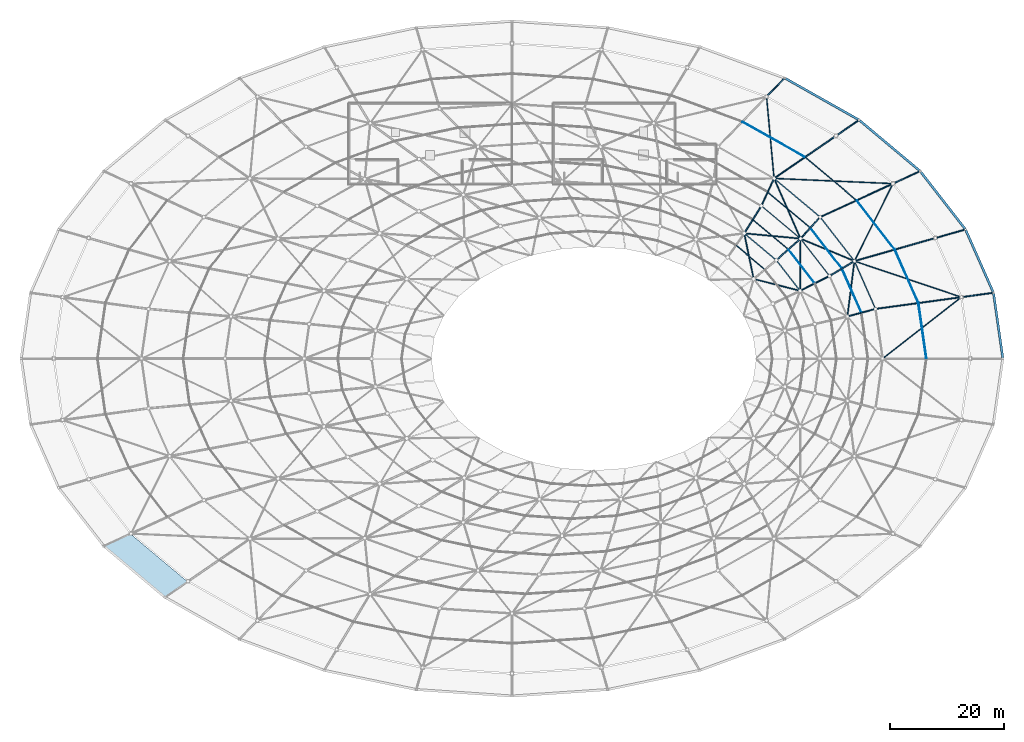
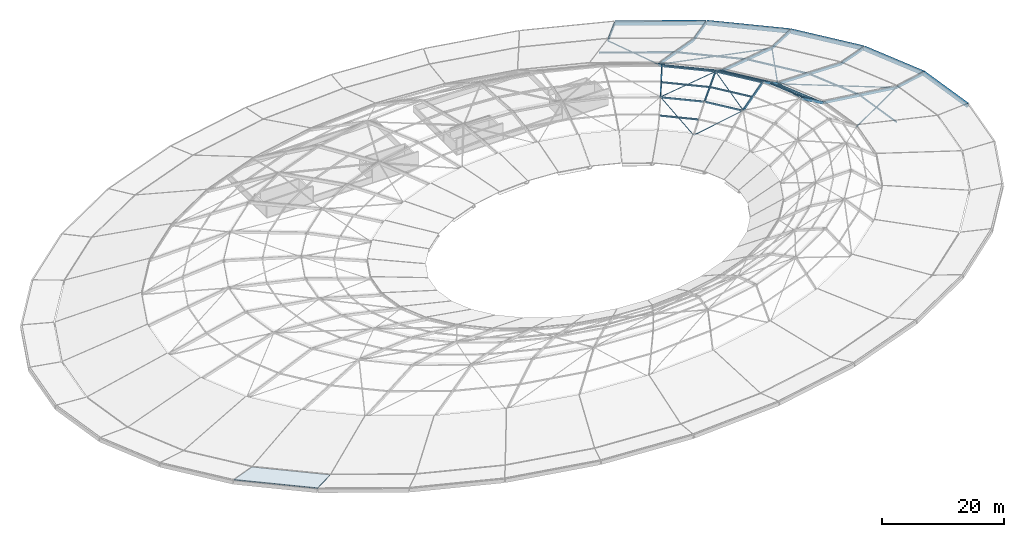
# One storey, part 11 of 30: 46 members, 5 beams, 1 slab.
"""IFC4 building model written with IfcOpenShell, lengths in metres."""

from ifc_helpers import new_model, si_unit, direction, frame, origin, origin_2d, place, context, subcontext, project, spatial, polyline, rectangle, hollow_rectangle, hollow_circle, outline, extrude, material, layer, layer_set, material_profile, profile_set, type_object, element, save


model = new_model("IFC4")

# Units and contexts
model_context = context("Model", 3, precision=1e-05, world=origin(), true_north=direction((0.0, 1.0)))
body_context = subcontext(model_context, "Body", "Model", "MODEL_VIEW")
ifc_project = project(units=[si_unit("LENGTHUNIT", "METRE"), si_unit("AREAUNIT", "SQUARE_METRE"), si_unit("VOLUMEUNIT", "CUBIC_METRE"), si_unit("PLANEANGLEUNIT", "RADIAN"), si_unit("MASSUNIT", "GRAM", prefix="KILO")], contexts=[model_context])

# Site, building, storey
site_placement = place(None, origin())
site = spatial("IfcSite", under=ifc_project, at=site_placement, CompositionType="ELEMENT")
building_placement = place(site_placement, origin())
building = spatial("IfcBuilding", under=site, at=building_placement, Name="Namkhue Oval Health Centre", CompositionType="ELEMENT")
storey_placement = place(building_placement, frame((0.0, 0.0, 26.39990234375)))
storey = spatial("IfcBuildingStorey", under=building, at=storey_placement, Name="RF", CompositionType="ELEMENT", Elevation=26.39990234375)

# Beams
ifc_material_1 = material(Name="Precast architectural concrete C35/45 (TCVN B40)", Category="concrete")
ifc_material_profile_1 = material_profile(ifc_material_1, rectangle(XDim=0.39990234375, YDim=0.75, at=origin_2d()), Name="RC 400x750")
ifc_profile_set_1 = profile_set([ifc_material_profile_1], Name="Precast architectural concrete C35/45 (TCVN B40)")
beam_type = type_object("IfcBeamType", Name="CONCRETE EDGE BAND 400X750", PredefinedType="SPANDREL", material=ifc_profile_set_1)
beam_1_placement = place(storey_placement, frame((172.794189453125, 59.439697265625, 0.7001953125), z_axis=(-0.14180352015, 0.989894823541, 0.0), x_axis=(-0.989894823541, -0.14180352015, 0.0)))
element("IfcBeam", 1, at=beam_1_placement, inside=storey, type_object=beam_type, Name="Elliptical Roof Concrete Fascia Band 1", PredefinedType="SPANDREL", context=body_context, shape_type="SweptSolid", body=[
    extrude(rectangle(XDim=0.39990234375, YDim=0.75, at=origin_2d()), origin(), (0.0, 0.0, 1.0), 11.62646484375),
])
beam_2_placement = place(storey_placement, frame((171.123779296875, 71.02490234375, 0.7001953125), z_axis=(-0.403693857048, 0.914894130368, 0.0), x_axis=(-0.914894130368, -0.403693857048, 0.0)))
element("IfcBeam", 2, at=beam_2_placement, inside=storey, type_object=beam_type, Name="Elliptical Roof Concrete Fascia Band 2", PredefinedType="SPANDREL", context=body_context, shape_type="SweptSolid", body=[
    extrude(rectangle(XDim=0.39990234375, YDim=0.75, at=origin_2d()), origin(), (0.0, 0.0, 1.0), 12.099609375),
])
beam_3_placement = place(storey_placement, frame((166.198486328125, 82.1630859375, 0.7001953125), z_axis=(-0.613787636636, 0.789471175606, 0.0), x_axis=(-0.789471175606, -0.613787636636, 0.0)))
element("IfcBeam", 3, at=beam_3_placement, inside=storey, type_object=beam_type, Name="Elliptical Roof Concrete Fascia Band 3", PredefinedType="SPANDREL", context=body_context, shape_type="SweptSolid", body=[
    extrude(rectangle(XDim=0.39990234375, YDim=0.75, at=origin_2d()), origin(), (0.0, 0.0, 1.0), 12.927978515625),
])
beam_4_placement = place(storey_placement, frame((158.208251953125, 92.426513671875, 0.7001953125), z_axis=(-0.766561731965, 0.642170624591, 0.0), x_axis=(-0.642170624591, -0.766561731965, 0.0)))
element("IfcBeam", 4, at=beam_4_placement, inside=storey, type_object=beam_type, Name="Elliptical Roof Concrete Fascia Band 4", PredefinedType="SPANDREL", context=body_context, shape_type="SweptSolid", body=[
    extrude(rectangle(XDim=0.39990234375, YDim=0.75, at=origin_2d()), origin(), (0.0, 0.0, 1.0), 13.93701171875),
])
beam_5_placement = place(storey_placement, frame((147.459228515625, 101.421875, 0.7001953125), z_axis=(-0.870942993464, 0.491384067849, 0.0), x_axis=(-0.491384067849, -0.870942993464, 0.0)))
element("IfcBeam", 5, at=beam_5_placement, inside=storey, type_object=beam_type, Name="Elliptical Roof Concrete Fascia Band 5", PredefinedType="SPANDREL", context=body_context, shape_type="SweptSolid", body=[
    extrude(rectangle(XDim=0.39990234375, YDim=0.75, at=origin_2d()), origin(), (0.0, 0.0, 1.0), 14.952880859375),
])

# Members
ifc_material_2 = material(Name="Structural steel EN 10025-2 S355JR (TCVN 5575:2024)", Category="steel")
ifc_material_profile_2 = material_profile(ifc_material_2, hollow_circle(Radius=0.084228515625, WallThickness=0.008056640625, at=origin_2d()), Name="CHS 168.3x8")
ifc_profile_set_2 = profile_set([ifc_material_profile_2], Name="Structural steel EN 10025-2 S355JR (TCVN 5575:2024)")
member_type_1 = type_object("IfcMemberType", Name="DIAGONAL BRACE CHS 168", PredefinedType="BRACE", material=ifc_profile_set_2)
member_1_placement = place(storey_placement, frame((146.6630859375, 76.5341796875, 3.789794921875), z_axis=(-0.118630380465, -0.937515440045, 0.327095754341), x_axis=(0.992089069562, -0.125535963196, 0.0)))
element("IfcMember", 6, at=member_1_placement, inside=storey, type_object=member_type_1, Name="Gridshell Diagonal Brace K2-2", PredefinedType="BRACE", context=body_context, shape_type="SweptSolid", body=[
    extrude(hollow_circle(Radius=0.084228515625, WallThickness=0.008056640625, at=origin_2d()), origin(), (0.0, 0.0, 1.0), 10.335205078125),
])
member_2_placement = place(storey_placement, frame((146.64013671875, 76.5732421875, 3.78955078125), z_axis=(-0.876267446416, 0.36550059602, 0.31395011811), x_axis=(-0.384964607325, -0.922931336074, 0.0)))
element("IfcMember", 7, at=member_2_placement, inside=storey, type_object=member_type_1, Name="Gridshell Diagonal Brace K2-3", PredefinedType="BRACE", context=body_context, shape_type="SweptSolid", body=[
    extrude(hollow_circle(Radius=0.084228515625, WallThickness=0.008056640625, at=origin_2d()), origin(), (0.0, 0.0, 1.0), 10.76953125),
])
member_3_placement = place(storey_placement, frame((132.53759765625, 91.085205078125, 3.78857421875), z_axis=(0.385751721326, -0.878447536324, 0.282002722364), x_axis=(0.915608797046, 0.402070305757, 0.0)))
element("IfcMember", 8, at=member_3_placement, inside=storey, type_object=member_type_1, Name="Gridshell Diagonal Brace K2-4", PredefinedType="BRACE", context=body_context, shape_type="SweptSolid", body=[
    extrude(hollow_circle(Radius=0.084228515625, WallThickness=0.008056640625, at=origin_2d()), origin(), (0.0, 0.0, 1.0), 11.99658203125),
])
member_4_placement = place(storey_placement, frame((137.1767578125, 80.491455078125, 7.173095703125), z_axis=(-0.007386741526, -0.972474925743, -0.232890435291), x_axis=(0.999971153031, -0.007595597835, 0.0)))
element("IfcMember", 9, at=member_4_placement, inside=storey, type_object=member_type_1, Name="Gridshell Diagonal Brace K3-3", PredefinedType="BRACE", context=body_context, shape_type="SweptSolid", body=[
    extrude(hollow_circle(Radius=0.084228515625, WallThickness=0.008056640625, at=origin_2d()), origin(), (0.0, 0.0, 1.0), 9.386474609375),
])
member_5_placement = place(storey_placement, frame((137.147705078125, 80.523193359375, 7.173583984375), z_axis=(-0.972115942185, 0.091372437401, -0.215966832253), x_axis=(-0.093580880658, -0.995611680715, 0.0)))
element("IfcMember", 10, at=member_5_placement, inside=storey, type_object=member_type_1, Name="Gridshell Diagonal Brace K3-4", PredefinedType="BRACE", context=body_context, shape_type="SweptSolid", body=[
    extrude(hollow_circle(Radius=0.084228515625, WallThickness=0.008056640625, at=origin_2d()), origin(), (0.0, 0.0, 1.0), 10.126708984375),
])
member_6_placement = place(storey_placement, frame((137.080078125, 71.3408203125, 4.968994140625), z_axis=(-0.898603982396, 0.229877950165, -0.3737204983), x_axis=(-0.247835792691, -0.968802054014, 0.0)))
element("IfcMember", 11, at=member_6_placement, inside=storey, type_object=member_type_1, Name="Gridshell Diagonal Brace K4-3", PredefinedType="BRACE", context=body_context, shape_type="SweptSolid", body=[
    extrude(hollow_circle(Radius=0.084228515625, WallThickness=0.008056640625, at=origin_2d()), origin(), (0.0, 0.0, 1.0), 9.0380859375),
])
member_7_placement = place(storey_placement, frame((127.280029296875, 81.424072265625, 4.968505859375), z_axis=(0.18677893336, -0.904584059932, -0.383198784668), x_axis=(0.979341190067, 0.202214820024, 0.0)))
element("IfcMember", 12, at=member_7_placement, inside=storey, type_object=member_type_1, Name="Gridshell Diagonal Brace K4-4", PredefinedType="BRACE", context=body_context, shape_type="SweptSolid", body=[
    extrude(hollow_circle(Radius=0.084228515625, WallThickness=0.008056640625, at=origin_2d()), origin(), (0.0, 0.0, 1.0), 8.8125),
])
ifc_material_profile_3 = material_profile(ifc_material_2, hollow_circle(Radius=0.109619140625, WallThickness=0.010009765625, at=origin_2d()), Name="CHS 219.1x10")
ifc_profile_set_3 = profile_set([ifc_material_profile_3], Name="Structural steel EN 10025-2 S355JR (TCVN 5575:2024)")
member_type_2 = type_object("IfcMemberType", Name="DIAGONAL BRACE CHS 219", PredefinedType="BRACE", material=ifc_profile_set_3)
member_8_placement = place(storey_placement, frame((165.46728515625, 70.19775390625, 0.285888671875), z_axis=(-0.773156638641, -0.603407661928, 0.195263938433), x_axis=(0.615250790527, -0.788331443465, 0.0)))
element("IfcMember", 13, at=member_8_placement, inside=storey, type_object=member_type_2, Name="Gridshell Diagonal Brace K1-1", PredefinedType="BRACE", context=body_context, shape_type="SweptSolid", body=[
    extrude(hollow_circle(Radius=0.109619140625, WallThickness=0.010009765625, at=origin_2d()), origin(), (0.0, 0.0, 1.0), 17.864501953125),
])
member_9_placement = place(storey_placement, frame((165.46240234375, 70.22509765625, 0.285400390625), z_axis=(-0.933218200135, 0.314637770233, 0.173513297706), x_axis=(-0.319483852596, -0.947591720062, 0.0)))
element("IfcMember", 14, at=member_9_placement, inside=storey, type_object=member_type_2, Name="Gridshell Diagonal Brace K1-2", PredefinedType="BRACE", context=body_context, shape_type="SweptSolid", body=[
    extrude(hollow_circle(Radius=0.109619140625, WallThickness=0.010009765625, at=origin_2d()), origin(), (0.0, 0.0, 1.0), 20.11083984375),
])
member_10_placement = place(storey_placement, frame((153.436767578125, 90.174560546875, 0.286865234375), z_axis=(-0.434016963234, -0.872628440892, 0.223939455594), x_axis=(0.895368051566, -0.445326904908, 0.0)))
element("IfcMember", 15, at=member_10_placement, inside=storey, type_object=member_type_2, Name="Gridshell Diagonal Brace K1-3", PredefinedType="BRACE", context=body_context, shape_type="SweptSolid", body=[
    extrude(hollow_circle(Radius=0.109619140625, WallThickness=0.010009765625, at=origin_2d()), origin(), (0.0, 0.0, 1.0), 15.5693359375),
])
member_11_placement = place(storey_placement, frame((153.420166015625, 90.2021484375, 0.284912109375), z_axis=(-0.985387796484, 0.042892577935, 0.164836638216), x_axis=(-0.043487447856, -0.999053973456, 0.0)))
element("IfcMember", 16, at=member_11_placement, inside=storey, type_object=member_type_2, Name="Gridshell Diagonal Brace K1-4", PredefinedType="BRACE", context=body_context, shape_type="SweptSolid", body=[
    extrude(hollow_circle(Radius=0.109619140625, WallThickness=0.010009765625, at=origin_2d()), origin(), (0.0, 0.0, 1.0), 21.173828125),
])
member_12_placement = place(storey_placement, frame((131.203857421875, 105.467529296875, 0.287109375), z_axis=(0.089121555701, -0.967786871432, 0.235469572965), x_axis=(0.995786678787, 0.091700001911, 0.0)))
element("IfcMember", 17, at=member_12_placement, inside=storey, type_object=member_type_2, Name="Gridshell Diagonal Brace K1-5", PredefinedType="BRACE", context=body_context, shape_type="SweptSolid", body=[
    extrude(hollow_circle(Radius=0.109619140625, WallThickness=0.010009765625, at=origin_2d()), origin(), (0.0, 0.0, 1.0), 14.8037109375),
])
ifc_material_3 = material(Name="Glulam timber GL28h", Category="wood")
ifc_material_profile_4 = material_profile(ifc_material_3, rectangle(XDim=0.199951171875, YDim=0.47998046875, at=origin_2d()), Name="GL28h 200x480")
ifc_profile_set_4 = profile_set([ifc_material_profile_4], Name="Glulam timber GL28h")
member_type_3 = type_object("IfcMemberType", Name="GRIDSHELL ARCH RIB GL28H 200X480", PredefinedType="USERDEFINED", material=ifc_profile_set_4)
member_13_placement = place(storey_placement, frame((165.490478515625, 70.2158203125, 0.300048828125), z_axis=(-0.965679210816, -0.132063629189, 0.223657907626), x_axis=(0.135496054862, -0.990777885864, 0.0)))
element("IfcMember", 18, at=member_13_placement, inside=storey, type_object=member_type_3, Name="Gridshell Glulam Arch Rib K1-2", ObjectType="ARCH_SEGMENT", PredefinedType="USERDEFINED", context=body_context, shape_type="SweptSolid", body=[
    extrude(rectangle(XDim=0.199951171875, YDim=0.47998046875, at=origin_2d()), origin(), (0.0, 0.0, 1.0), 15.64892578125),
])
member_14_placement = place(storey_placement, frame((150.378662109375, 68.149169921875, 3.800048828125), z_axis=(-0.804418589356, -0.216762116055, 0.553104798517), x_axis=(0.26018374201, -0.965559123199, 0.0)))
element("IfcMember", 19, at=member_14_placement, inside=storey, type_object=member_type_3, Name="Gridshell Glulam Arch Rib K2-2", ObjectType="ARCH_SEGMENT", PredefinedType="USERDEFINED", context=body_context, shape_type="SweptSolid", body=[
    extrude(rectangle(XDim=0.199951171875, YDim=0.47998046875, at=origin_2d()), origin(), (0.0, 0.0, 1.0), 6.1474609375),
])
member_15_placement = place(storey_placement, frame((160.901611328125, 80.615966796875, 0.300048828125), z_axis=(-0.935951519575, -0.26652955959, 0.230123329697), x_axis=(0.273880097908, -0.961763844179, 0.0)))
element("IfcMember", 20, at=member_15_placement, inside=storey, type_object=member_type_3, Name="Gridshell Glulam Arch Rib K1-3", ObjectType="ARCH_SEGMENT", PredefinedType="USERDEFINED", context=body_context, shape_type="SweptSolid", body=[
    extrude(rectangle(XDim=0.199951171875, YDim=0.47998046875, at=origin_2d()), origin(), (0.0, 0.0, 1.0), 15.209228515625),
])
member_16_placement = place(storey_placement, frame((146.66650390625, 76.562255859375, 3.800048828125), z_axis=(-0.714462906389, -0.426471308412, 0.554675561473), x_axis=(0.512544606953, -0.858660599937, 0.0)))
element("IfcMember", 21, at=member_16_placement, inside=storey, type_object=member_type_3, Name="Gridshell Glulam Arch Rib K2-3", ObjectType="ARCH_SEGMENT", PredefinedType="USERDEFINED", context=body_context, shape_type="SweptSolid", body=[
    extrude(rectangle(XDim=0.199951171875, YDim=0.47998046875, at=origin_2d()), origin(), (0.0, 0.0, 1.0), 6.1298828125),
])
member_17_placement = place(storey_placement, frame((142.286865234375, 73.947998046875, 7.2001953125), z_axis=(-0.834748734664, -0.421269546665, -0.354579355052), x_axis=(0.450543172408, -0.892754641431, 0.0)))
element("IfcMember", 22, at=member_17_placement, inside=storey, type_object=member_type_3, Name="Gridshell Glulam Arch Rib K3-3", ObjectType="ARCH_SEGMENT", PredefinedType="USERDEFINED", context=body_context, shape_type="SweptSolid", body=[
    extrude(rectangle(XDim=0.199951171875, YDim=0.47998046875, at=origin_2d()), origin(), (0.0, 0.0, 1.0), 6.205078125),
])
member_18_placement = place(storey_placement, frame((153.44970703125, 90.200927734375, 0.300048828125), z_axis=(-0.881933301609, -0.405143099926, 0.240941320855), x_axis=(0.41744104465, -0.908704008048, 0.0)))
element("IfcMember", 23, at=member_18_placement, inside=storey, type_object=member_type_3, Name="Gridshell Glulam Arch Rib K1-4", ObjectType="ARCH_SEGMENT", PredefinedType="USERDEFINED", context=body_context, shape_type="SweptSolid", body=[
    extrude(rectangle(XDim=0.199951171875, YDim=0.47998046875, at=origin_2d()), origin(), (0.0, 0.0, 1.0), 14.5263671875),
])
member_19_placement = place(storey_placement, frame((140.638427734375, 84.315673828125, 3.800048828125), z_axis=(-0.561918661707, -0.616097164355, 0.551970743517), x_axis=(0.738846563421, -0.67387369419, 0.0)))
element("IfcMember", 24, at=member_19_placement, inside=storey, type_object=member_type_3, Name="Gridshell Glulam Arch Rib K2-4", ObjectType="ARCH_SEGMENT", PredefinedType="USERDEFINED", context=body_context, shape_type="SweptSolid", body=[
    extrude(rectangle(XDim=0.199951171875, YDim=0.47998046875, at=origin_2d()), origin(), (0.0, 0.0, 1.0), 6.159912109375),
])
member_20_placement = place(storey_placement, frame((137.177001953125, 80.5205078125, 7.2001953125), z_axis=(-0.69678545963, -0.620540244626, -0.359749674144), x_axis=(0.665067256783, -0.746783465239, 0.0)))
element("IfcMember", 25, at=member_20_placement, inside=storey, type_object=member_type_3, Name="Gridshell Glulam Arch Rib K3-4", ObjectType="ARCH_SEGMENT", PredefinedType="USERDEFINED", context=body_context, shape_type="SweptSolid", body=[
    extrude(rectangle(XDim=0.199951171875, YDim=0.47998046875, at=origin_2d()), origin(), (0.0, 0.0, 1.0), 6.115966796875),
])
member_21_placement = place(storey_placement, frame((143.421142578125, 98.60205078125, 0.300048828125), z_axis=(-0.796604199266, -0.547664271353, 0.25590153496), x_axis=(0.566528039222, -0.824042462969, 0.0)))
element("IfcMember", 26, at=member_21_placement, inside=storey, type_object=member_type_3, Name="Gridshell Glulam Arch Rib K1-5", ObjectType="ARCH_SEGMENT", PredefinedType="USERDEFINED", context=body_context, shape_type="SweptSolid", body=[
    extrude(rectangle(XDim=0.199951171875, YDim=0.47998046875, at=origin_2d()), origin(), (0.0, 0.0, 1.0), 13.67724609375),
])
member_22_placement = place(storey_placement, frame((132.52587890625, 91.111572265625, 3.800048828125), z_axis=(-0.352574325734, -0.76521314553, 0.538646625109), x_axis=(0.908230593451, -0.418470057614, 0.0)))
element("IfcMember", 27, at=member_22_placement, inside=storey, type_object=member_type_3, Name="Gridshell Glulam Arch Rib K2-5", ObjectType="ARCH_SEGMENT", PredefinedType="USERDEFINED", context=body_context, shape_type="SweptSolid", body=[
    extrude(rectangle(XDim=0.199951171875, YDim=0.47998046875, at=origin_2d()), origin(), (0.0, 0.0, 1.0), 6.3125),
])
member_23_placement = place(storey_placement, frame((130.30029296875, 86.28125, 7.2001953125), z_axis=(-0.495271295027, -0.79057990163, -0.360124649893), x_axis=(0.847439539986, -0.530891915618, 0.0)))
element("IfcMember", 28, at=member_23_placement, inside=storey, type_object=member_type_3, Name="Gridshell Glulam Arch Rib K3-5", ObjectType="ARCH_SEGMENT", PredefinedType="USERDEFINED", context=body_context, shape_type="SweptSolid", body=[
    extrude(rectangle(XDim=0.199951171875, YDim=0.47998046875, at=origin_2d()), origin(), (0.0, 0.0, 1.0), 6.109619140625),
])
ifc_material_profile_5 = material_profile(ifc_material_3, rectangle(XDim=0.199951171875, YDim=0.47998046875, at=origin_2d()), Name="GL28h 200x480")
ifc_profile_set_5 = profile_set([ifc_material_profile_5], Name="Glulam timber GL28h")
member_type_4 = type_object("IfcMemberType", Name="GRIDSHELL CANTILEVER RIB GL28H 200X480", PredefinedType="USERDEFINED", material=ifc_profile_set_5)
member_24_placement = place(storey_placement, frame((171.139892578125, 70.98828125, 0.7001953125), z_axis=(-0.988350405727, -0.135140046833, -0.070004594425), x_axis=(0.13547240549, -0.990781119799, 0.0)))
element("IfcMember", 29, at=member_24_placement, inside=storey, type_object=member_type_4, Name="Gridshell Glulam Arch Rib K0-2", ObjectType="ARCH_SEGMENT", PredefinedType="USERDEFINED", context=body_context, shape_type="SweptSolid", body=[
    extrude(rectangle(XDim=0.199951171875, YDim=0.47998046875, at=origin_2d()), origin(), (0.0, 0.0, 1.0), 5.716064453125),
])
member_25_placement = place(storey_placement, frame((166.22314453125, 82.13134765625, 0.7001953125), z_axis=(-0.959259810829, -0.273162620811, -0.072130422992), x_axis=(0.273876010696, -0.961765008079, 0.0)))
element("IfcMember", 30, at=member_25_placement, inside=storey, type_object=member_type_4, Name="Gridshell Glulam Arch Rib K0-3", ObjectType="ARCH_SEGMENT", PredefinedType="USERDEFINED", context=body_context, shape_type="SweptSolid", body=[
    extrude(rectangle(XDim=0.199951171875, YDim=0.47998046875, at=origin_2d()), origin(), (0.0, 0.0, 1.0), 5.547607421875),
])
member_26_placement = place(storey_placement, frame((158.239013671875, 92.40087890625, 0.7001953125), z_axis=(-0.906107986713, -0.4162175189, -0.075705306123), x_axis=(0.417415402789, -0.908715786984, 0.0)))
element("IfcMember", 31, at=member_26_placement, inside=storey, type_object=member_type_4, Name="Gridshell Glulam Arch Rib K0-4", ObjectType="ARCH_SEGMENT", PredefinedType="USERDEFINED", context=body_context, shape_type="SweptSolid", body=[
    extrude(rectangle(XDim=0.199951171875, YDim=0.47998046875, at=origin_2d()), origin(), (0.0, 0.0, 1.0), 5.28564453125),
])
member_27_placement = place(storey_placement, frame((147.494140625, 101.402099609375, 0.7001953125), z_axis=(-0.821367573853, -0.564662513009, -0.08069420689), x_axis=(0.566509955726, -0.824054895054, 0.0)))
element("IfcMember", 32, at=member_27_placement, inside=storey, type_object=member_type_4, Name="Gridshell Glulam Arch Rib K0-5", ObjectType="ARCH_SEGMENT", PredefinedType="USERDEFINED", context=body_context, shape_type="SweptSolid", body=[
    extrude(rectangle(XDim=0.199951171875, YDim=0.47998046875, at=origin_2d()), origin(), (0.0, 0.0, 1.0), 4.958740234375),
])
member_28_placement = place(storey_placement, frame((134.4013671875, 108.789306640625, 0.7001953125), z_axis=(-0.694327625131, -0.714403164491, -0.086817438022), x_axis=(0.717110804188, -0.696959177081, 0.0)))
element("IfcMember", 33, at=member_28_placement, inside=storey, type_object=member_type_4, Name="Gridshell Glulam Arch Rib K0-6", ObjectType="ARCH_SEGMENT", PredefinedType="USERDEFINED", context=body_context, shape_type="SweptSolid", body=[
    extrude(rectangle(XDim=0.199951171875, YDim=0.47998046875, at=origin_2d()), origin(), (0.0, 0.0, 1.0), 4.609130859375),
])
ifc_material_profile_6 = material_profile(ifc_material_2, hollow_rectangle(XDim=0.14990234375, YDim=0.25, WallThickness=0.008056640625, at=origin_2d()), Name="RHS 150x250x8")
ifc_profile_set_6 = profile_set([ifc_material_profile_6], Name="Structural steel EN 10025-2 S355JR (TCVN 5575:2024)")
member_type_5 = type_object("IfcMemberType", Name="GRIDSHELL HOOP PURLIN RHS 150X250", PredefinedType="PURLIN", material=ifc_profile_set_6)
member_29_placement = place(storey_placement, frame((142.25, 73.99560546875, 7.156005859375), z_axis=(-0.613792283962, 0.789467562443, 0.0), x_axis=(-0.789467562443, -0.613792283962, 0.0)))
element("IfcMember", 34, at=member_29_placement, inside=storey, type_object=member_type_5, Name="Gridshell Hoop Purlin K3-3", PredefinedType="PURLIN", context=body_context, shape_type="SweptSolid", body=[
    extrude(hollow_rectangle(XDim=0.14990234375, YDim=0.25, WallThickness=0.008056640625, at=origin_2d()), origin(), (0.0, 0.0, 1.0), 8.204833984375),
])
member_30_placement = place(storey_placement, frame((137.131103515625, 80.55908203125, 7.157470703125), z_axis=(-0.766565985692, 0.642165546864, 0.0), x_axis=(-0.642165546864, -0.766565985692, 0.0)))
element("IfcMember", 35, at=member_30_placement, inside=storey, type_object=member_type_5, Name="Gridshell Hoop Purlin K3-4", PredefinedType="PURLIN", context=body_context, shape_type="SweptSolid", body=[
    extrude(hollow_rectangle(XDim=0.14990234375, YDim=0.25, WallThickness=0.008056640625, at=origin_2d()), origin(), (0.0, 0.0, 1.0), 8.85107421875),
])
ifc_material_profile_7 = material_profile(ifc_material_2, hollow_rectangle(XDim=0.179931640625, YDim=0.300048828125, WallThickness=0.010009765625, at=origin_2d()), Name="RHS 180x300x10")
ifc_profile_set_7 = profile_set([ifc_material_profile_7], Name="Structural steel EN 10025-2 S355JR (TCVN 5575:2024)")
member_type_6 = type_object("IfcMemberType", Name="GRIDSHELL HOOP PURLIN RHS 180X300", PredefinedType="PURLIN", material=ifc_profile_set_7)
member_31_placement = place(storey_placement, frame((150.3544921875, 68.2041015625, 3.72509765625), z_axis=(-0.403698487315, 0.914892087265, 0.0), x_axis=(-0.914892087265, -0.403698487315, 0.0)))
element("IfcMember", 36, at=member_31_placement, inside=storey, type_object=member_type_6, Name="Gridshell Hoop Purlin K2-2", PredefinedType="PURLIN", context=body_context, shape_type="SweptSolid", body=[
    extrude(hollow_rectangle(XDim=0.179931640625, YDim=0.300048828125, WallThickness=0.010009765625, at=origin_2d()), origin(), (0.0, 0.0, 1.0), 9.07568359375),
])
member_32_placement = place(storey_placement, frame((146.629638671875, 76.609619140625, 3.72509765625), z_axis=(-0.613785537369, 0.789472807712, 0.0), x_axis=(-0.789472807712, -0.613785537369, 0.0)))
element("IfcMember", 37, at=member_32_placement, inside=storey, type_object=member_type_6, Name="Gridshell Hoop Purlin K2-3", PredefinedType="PURLIN", context=body_context, shape_type="SweptSolid", body=[
    extrude(hollow_rectangle(XDim=0.179931640625, YDim=0.300048828125, WallThickness=0.010009765625, at=origin_2d()), origin(), (0.0, 0.0, 1.0), 9.700927734375),
])
member_33_placement = place(storey_placement, frame((140.59228515625, 84.354248046875, 3.7265625), z_axis=(-0.766564254269, 0.642167613694, 0.0), x_axis=(-0.642167613694, -0.766564254269, 0.0)))
element("IfcMember", 38, at=member_33_placement, inside=storey, type_object=member_type_6, Name="Gridshell Hoop Purlin K2-4", PredefinedType="PURLIN", context=body_context, shape_type="SweptSolid", body=[
    extrude(hollow_rectangle(XDim=0.179931640625, YDim=0.300048828125, WallThickness=0.010009765625, at=origin_2d()), origin(), (0.0, 0.0, 1.0), 10.462646484375),
])
member_34_placement = place(storey_placement, frame((137.0703125, 71.38134765625, 4.912109375), z_axis=(-0.613784405875, 0.789473687405, 0.0), x_axis=(-0.789473687405, -0.613784405875, 0.0)))
element("IfcMember", 39, at=member_34_placement, inside=storey, type_object=member_type_6, Name="Gridshell Hoop Purlin K4-3", PredefinedType="PURLIN", context=body_context, shape_type="SweptSolid", body=[
    extrude(hollow_rectangle(XDim=0.179931640625, YDim=0.300048828125, WallThickness=0.010009765625, at=origin_2d()), origin(), (0.0, 0.0, 1.0), 6.708984375),
])
member_35_placement = place(storey_placement, frame((132.869384765625, 76.763916015625, 4.91259765625), z_axis=(-0.766557274507, 0.642175945439, 0.0), x_axis=(-0.642175945439, -0.766557274507, 0.0)))
element("IfcMember", 40, at=member_35_placement, inside=storey, type_object=member_type_6, Name="Gridshell Hoop Purlin K4-4", PredefinedType="PURLIN", context=body_context, shape_type="SweptSolid", body=[
    extrude(hollow_rectangle(XDim=0.179931640625, YDim=0.300048828125, WallThickness=0.010009765625, at=origin_2d()), origin(), (0.0, 0.0, 1.0), 7.239013671875),
])
ifc_material_profile_8 = material_profile(ifc_material_3, rectangle(XDim=0.139892578125, YDim=0.280029296875, at=origin_2d()), Name="GL28h 140x280")
ifc_profile_set_8 = profile_set([ifc_material_profile_8], Name="Glulam timber GL28h")
member_type_7 = type_object("IfcMemberType", Name="GRIDSHELL SUB PURLIN GL28H 140X280", PredefinedType="PURLIN", material=ifc_profile_set_8)
member_36_placement = place(storey_placement, frame((159.32470703125, 59.479248046875, 2.050048828125), z_axis=(-0.141829153276, 0.989891151229, 0.0), x_axis=(-0.989891151229, -0.141829153276, 0.0)))
element("IfcMember", 41, at=member_36_placement, inside=storey, type_object=member_type_7, Name="Gridshell Secondary Purlin K1-1", PredefinedType="PURLIN", context=body_context, shape_type="SweptSolid", body=[
    extrude(rectangle(XDim=0.139892578125, YDim=0.280029296875, at=origin_2d()), origin(), (0.0, 0.0, 1.0), 9.722412109375),
])
member_37_placement = place(storey_placement, frame((157.90234375, 69.255615234375, 2.050048828125), z_axis=(-0.40368415086, 0.914898413128, 0.0), x_axis=(-0.914898413128, -0.40368415086, 0.0)))
element("IfcMember", 42, at=member_37_placement, inside=storey, type_object=member_type_7, Name="Gridshell Secondary Purlin K1-2", PredefinedType="PURLIN", context=body_context, shape_type="SweptSolid", body=[
    extrude(rectangle(XDim=0.139892578125, YDim=0.280029296875, at=origin_2d()), origin(), (0.0, 0.0, 1.0), 10.12158203125),
])
member_38_placement = place(storey_placement, frame((153.735107421875, 78.652099609375, 2.050048828125), z_axis=(-0.613785968594, 0.789472472451, 0.0), x_axis=(-0.789472472451, -0.613785968594, 0.0)))
element("IfcMember", 43, at=member_38_placement, inside=storey, type_object=member_type_7, Name="Gridshell Secondary Purlin K1-3", PredefinedType="PURLIN", context=body_context, shape_type="SweptSolid", body=[
    extrude(rectangle(XDim=0.139892578125, YDim=0.280029296875, at=origin_2d()), origin(), (0.0, 0.0, 1.0), 10.821044921875),
])
member_39_placement = place(storey_placement, frame((146.982666015625, 87.3095703125, 2.050048828125), z_axis=(-0.766559160307, 0.642173694377, 0.0), x_axis=(-0.642173694377, -0.766559160307, 0.0)))
element("IfcMember", 44, at=member_39_placement, inside=storey, type_object=member_type_7, Name="Gridshell Secondary Purlin K1-4", PredefinedType="PURLIN", context=body_context, shape_type="SweptSolid", body=[
    extrude(rectangle(XDim=0.139892578125, YDim=0.280029296875, at=origin_2d()), origin(), (0.0, 0.0, 1.0), 11.672607421875),
])
member_40_placement = place(storey_placement, frame((137.90380859375, 94.89599609375, 2.050048828125), z_axis=(-0.870931644052, 0.491404183325, 0.0), x_axis=(-0.491404183325, -0.870931644052, 0.0)))
element("IfcMember", 45, at=member_40_placement, inside=storey, type_object=member_type_7, Name="Gridshell Secondary Purlin K1-5", PredefinedType="PURLIN", context=body_context, shape_type="SweptSolid", body=[
    extrude(rectangle(XDim=0.139892578125, YDim=0.280029296875, at=origin_2d()), origin(), (0.0, 0.0, 1.0), 12.5302734375),
])
member_41_placement = place(storey_placement, frame((147.873779296875, 67.55615234375, 5.4462890625), z_axis=(-0.403685637554, 0.914897757147, 0.0), x_axis=(-0.914897757147, -0.403685637554, 0.0)))
element("IfcMember", 46, at=member_41_placement, inside=storey, type_object=member_type_7, Name="Gridshell Secondary Purlin K2-2", PredefinedType="PURLIN", context=body_context, shape_type="SweptSolid", body=[
    extrude(rectangle(XDim=0.139892578125, YDim=0.280029296875, at=origin_2d()), origin(), (0.0, 0.0, 1.0), 8.3349609375),
])
member_42_placement = place(storey_placement, frame((144.427490234375, 75.318359375, 5.4462890625), z_axis=(-0.613785103083, 0.789473145353, 0.0), x_axis=(-0.789473145353, -0.613785103083, 0.0)))
element("IfcMember", 47, at=member_42_placement, inside=storey, type_object=member_type_7, Name="Gridshell Secondary Purlin K2-3", PredefinedType="PURLIN", context=body_context, shape_type="SweptSolid", body=[
    extrude(rectangle(XDim=0.139892578125, YDim=0.280029296875, at=origin_2d()), origin(), (0.0, 0.0, 1.0), 8.9130859375),
])
member_43_placement = place(storey_placement, frame((138.846435546875, 82.469482421875, 5.44775390625), z_axis=(-0.766574858132, 0.642154955505, 0.0), x_axis=(-0.642154955505, -0.766574858132, 0.0)))
element("IfcMember", 48, at=member_43_placement, inside=storey, type_object=member_type_7, Name="Gridshell Secondary Purlin K2-4", PredefinedType="PURLIN", context=body_context, shape_type="SweptSolid", body=[
    extrude(rectangle(XDim=0.139892578125, YDim=0.280029296875, at=origin_2d()), origin(), (0.0, 0.0, 1.0), 9.616943359375),
])
member_44_placement = place(storey_placement, frame((139.64794921875, 72.7041015625, 5.9306640625), z_axis=(-0.613797043762, 0.789463861788, 0.0), x_axis=(-0.789463861788, -0.613797043762, 0.0)))
element("IfcMember", 49, at=member_44_placement, inside=storey, type_object=member_type_7, Name="Gridshell Secondary Purlin K3-3", PredefinedType="PURLIN", context=body_context, shape_type="SweptSolid", body=[
    extrude(rectangle(XDim=0.139892578125, YDim=0.280029296875, at=origin_2d()), origin(), (0.0, 0.0, 1.0), 7.417236328125),
])
member_45_placement = place(storey_placement, frame((134.98486328125, 78.67431640625, 5.92041015625), z_axis=(-0.766553753816, 0.64218014802, 0.0), x_axis=(-0.64218014802, -0.766553753816, 0.0)))
element("IfcMember", 50, at=member_45_placement, inside=storey, type_object=member_type_7, Name="Gridshell Secondary Purlin K3-4", PredefinedType="PURLIN", context=body_context, shape_type="SweptSolid", body=[
    extrude(rectangle(XDim=0.139892578125, YDim=0.280029296875, at=origin_2d()), origin(), (0.0, 0.0, 1.0), 8.0048828125),
])
member_46_placement = place(storey_placement, frame((130.8623046875, 75.126708984375, 3.010986328125), z_axis=(-0.766564968144, 0.642166761531, 0.0), x_axis=(-0.642166761531, -0.766564968144, 0.0)))
element("IfcMember", 51, at=member_46_placement, inside=storey, type_object=member_type_7, Name="Gridshell Secondary Purlin K4-4", PredefinedType="PURLIN", context=body_context, shape_type="SweptSolid", body=[
    extrude(rectangle(XDim=0.139892578125, YDim=0.280029296875, at=origin_2d()), origin(), (0.0, 0.0, 1.0), 6.498046875),
])

# Slab
ifc_material_4 = material(Name="Reinforced concrete C30/37 (TCVN B35)", Category="concrete")
ifc_layer = layer(ifc_material_4, 0.159912109375)
ifc_layer_set = layer_set([ifc_layer], Name="Reinforced concrete C30/37 (TCVN B35)")
slab_type = type_object("IfcSlabType", Name="GRIDSHELL ROOF PANEL 160", PredefinedType="ROOF", material=ifc_layer_set)
slab_placement = place(storey_placement, frame((14.686767578125, 26.41064453125, 1.094482421875), z_axis=(0.053727584536, 0.064136801334, 0.996493761834), x_axis=(0.766569996232, -0.642160759371, 1.83417e-07)))
element("IfcSlab", 52, at=slab_placement, inside=storey, type_object=slab_type, Name="Gridshell Planar Roof Panel K0-20", PredefinedType="ROOF", context=body_context, shape_type="SweptSolid", body=[
    extrude(outline(polyline([(0.0, 0.0), (13.909490126418305, 0.0), (15.183499884355887, 4.598802125405323), (2.1734594713244495, 4.598743111885195), (0.0, 0.0)])), origin(), (0.0, 0.0, -1.0), 0.159912109375),
])

save(model, "model.ifc")
